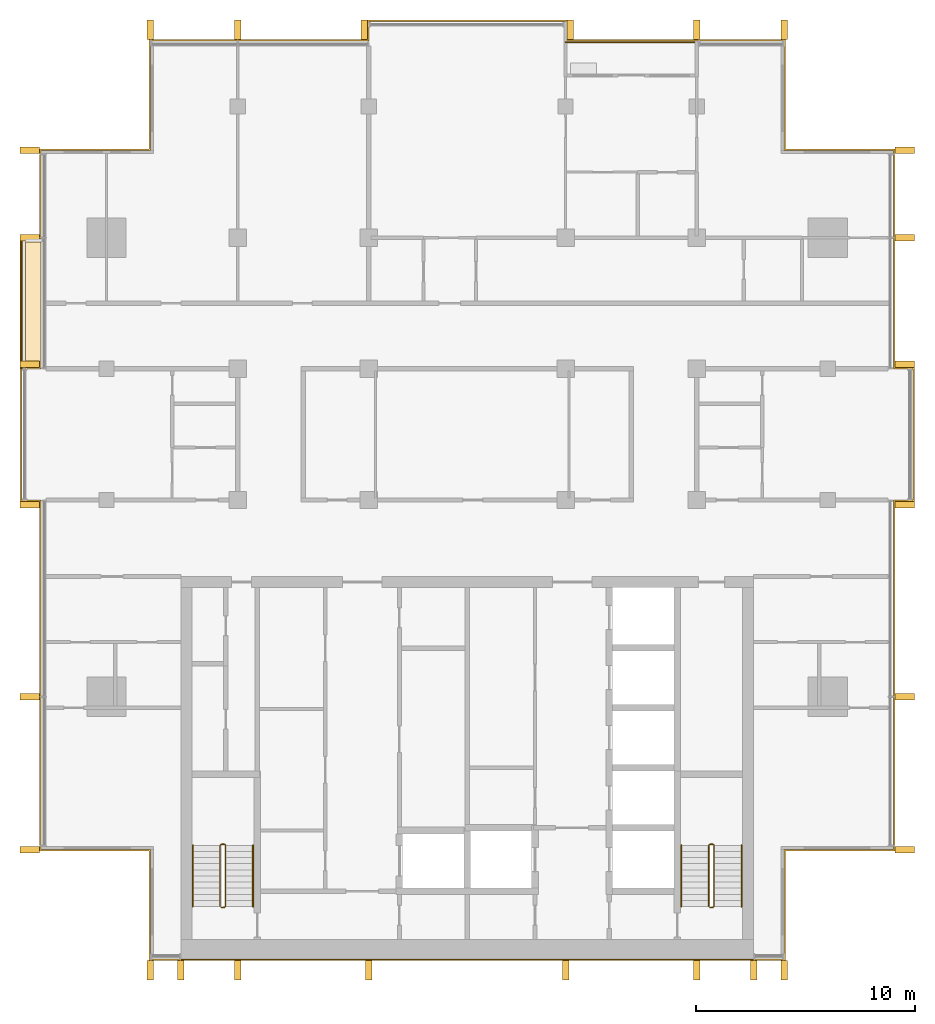
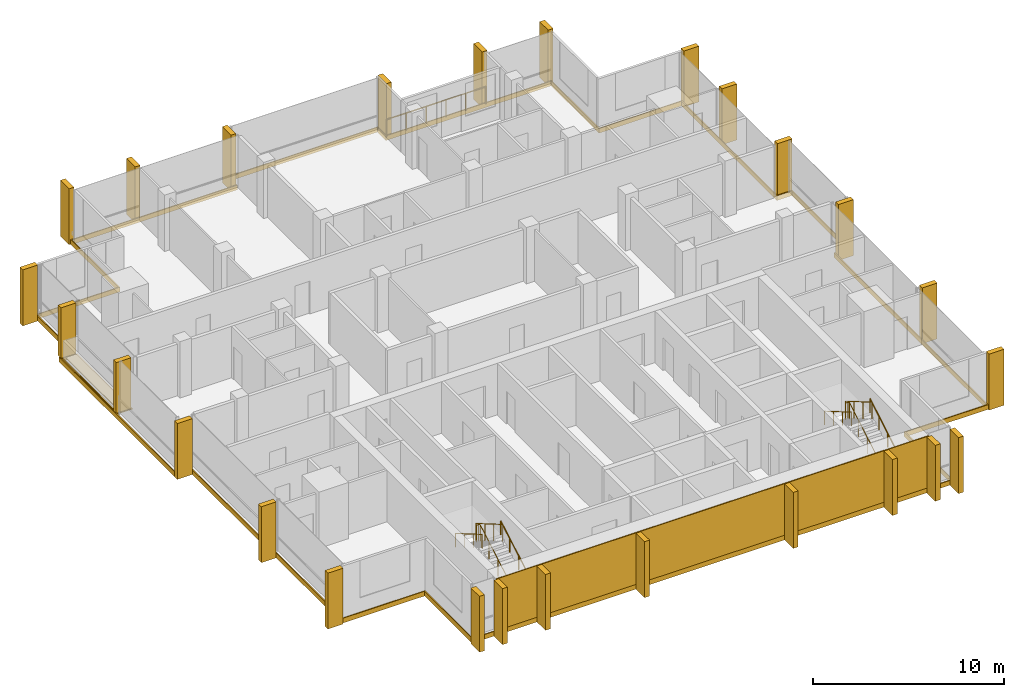
# One storey, part 16 of 16: 26 shading devices, 8 coverings, 7 railings.
"""IFC4 building model written with IfcOpenShell, lengths in metres."""

from ifc_helpers import new_model, si_unit, direction, frame, origin, origin_2d, place, context, subcontext, project, spatial, polyline, rectangle, circle, outline, extrude, material, layer, layer_set, type_object, element, save


model = new_model("IFC4")

# Units and contexts
model_context = context("Model", 3, precision=1e-05, world=origin(), true_north=direction((0.0, 1.0)))
body_context = subcontext(model_context, "Body", "Model", "MODEL_VIEW")
ifc_project = project(units=[si_unit("LENGTHUNIT", "METRE"), si_unit("AREAUNIT", "SQUARE_METRE"), si_unit("VOLUMEUNIT", "CUBIC_METRE"), si_unit("PLANEANGLEUNIT", "RADIAN"), si_unit("MASSUNIT", "GRAM", prefix="KILO")], contexts=[model_context])

# Site, building, storey
site_placement = place(None, origin())
site = spatial("IfcSite", under=ifc_project, at=site_placement, CompositionType="ELEMENT")
building_placement = place(site_placement, origin())
building = spatial("IfcBuilding", under=site, at=building_placement, Name="Finial Court Residences", CompositionType="ELEMENT")
storey_placement = place(building_placement, frame((0.0, 0.0, 262.699951171875)))
storey = spatial("IfcBuildingStorey", under=building, at=storey_placement, Name="L66", CompositionType="ELEMENT", Elevation=262.699951171875)

# Railing
ifc_material_1 = material(Name="Bronze anodised aluminium", Category="aluminium")
railing_type_1 = type_object("IfcRailingType", Name="Balcony guard 1100", PredefinedType="GUARDRAIL", material=ifc_material_1)
railing_1_placement = place(storey_placement, frame((4.5, 16.449951171875, 0.0)))
element("IfcRailing", 1, at=railing_1_placement, inside=storey, type_object=railing_type_1, Name="E-L66-BALN4-R", PredefinedType="GUARDRAIL", context=body_context, shape_type="SweptSolid", body=[
    extrude(circle(Radius=0.02392578125, at=origin_2d()), frame((0.0, 0.0, 1.076171875), z_axis=(1.0, 0.0, 0.0), x_axis=(0.0, 1.0, 0.0)), (0.0, 0.0, 1.0), 6.0),
    extrude(circle(Radius=0.02099609375, at=origin_2d()), origin(), (0.0, 0.0, 1.0), 1.052001953125),
    extrude(circle(Radius=0.02099609375, at=origin_2d()), frame((1.199951171875, 0.0, 0.0)), (0.0, 0.0, 1.0), 1.052001953125),
    extrude(circle(Radius=0.02099609375, at=origin_2d()), frame((2.39990234375, 0.0, 0.0)), (0.0, 0.0, 1.0), 1.052001953125),
    extrude(circle(Radius=0.02099609375, at=origin_2d()), frame((3.60009765625, 0.0, 0.0)), (0.0, 0.0, 1.0), 1.052001953125),
    extrude(circle(Radius=0.02099609375, at=origin_2d()), frame((4.800048828125, 0.0, 0.0)), (0.0, 0.0, 1.0), 1.052001953125),
    extrude(circle(Radius=0.02099609375, at=origin_2d()), frame((6.0, 0.0, 0.0)), (0.0, 0.0, 1.0), 1.052001953125),
])

# Coverings
ifc_material_2 = material(Name="Natural limestone", Category="masonry")
ifc_layer_1 = layer(ifc_material_2, 0.06005859375)
ifc_layer_set_1 = layer_set([ifc_layer_1], Name="Limestone cladding to the blind core face 60")
covering_type_1 = type_object("IfcCoveringType", Name="Limestone cladding to the blind core face 60", PredefinedType="CLADDING", material=ifc_layer_set_1)
covering_1_placement = place(storey_placement, origin())
element("IfcCovering", 2, at=covering_1_placement, inside=storey, type_object=covering_type_1, Name="E-L66-CLAD1", PredefinedType="CLADDING", context=body_context, shape_type="SweptSolid", body=[
    extrude(outline(polyline([(-10.5, -25.56005859375), (-10.5, -25.5), (-13.10009765625, -25.5), (-13.10009765625, -25.56005859375), (-10.5, -25.56005859375)])), origin(), (0.0, 0.0, 1.0), 3.300048828125),
])
covering_2_placement = place(storey_placement, origin())
element("IfcCovering", 3, at=covering_2_placement, inside=storey, type_object=covering_type_1, Name="E-L66-CLAD2", PredefinedType="CLADDING", context=body_context, shape_type="SweptSolid", body=[
    extrude(outline(polyline([(-4.5, -25.56005859375), (-4.5, -25.5), (-10.5, -25.5), (-10.5, -25.56005859375), (-4.5, -25.56005859375)])), origin(), (0.0, 0.0, 1.0), 3.300048828125),
])
covering_3_placement = place(storey_placement, origin())
element("IfcCovering", 4, at=covering_3_placement, inside=storey, type_object=covering_type_1, Name="E-L66-CLAD3", PredefinedType="CLADDING", context=body_context, shape_type="SweptSolid", body=[
    extrude(outline(polyline([(4.5, -25.56005859375), (4.5, -25.5), (-4.5, -25.5), (-4.5, -25.56005859375), (4.5, -25.56005859375)])), origin(), (0.0, 0.0, 1.0), 3.300048828125),
])
covering_4_placement = place(storey_placement, origin())
element("IfcCovering", 5, at=covering_4_placement, inside=storey, type_object=covering_type_1, Name="E-L66-CLAD4", PredefinedType="CLADDING", context=body_context, shape_type="SweptSolid", body=[
    extrude(outline(polyline([(10.5, -25.56005859375), (10.5, -25.5), (4.5, -25.5), (4.5, -25.56005859375), (10.5, -25.56005859375)])), origin(), (0.0, 0.0, 1.0), 3.300048828125),
])
covering_5_placement = place(storey_placement, origin())
element("IfcCovering", 6, at=covering_5_placement, inside=storey, type_object=covering_type_1, Name="E-L66-CLAD5", PredefinedType="CLADDING", context=body_context, shape_type="SweptSolid", body=[
    extrude(outline(polyline([(13.10009765625, -25.56005859375), (13.10009765625, -25.5), (10.5, -25.5), (10.5, -25.56005859375), (13.10009765625, -25.56005859375)])), origin(), (0.0, 0.0, 1.0), 3.300048828125),
])

# Shading devices
shading_device_type = type_object("IfcShadingDeviceType", Name="Limestone fin 300 x 900", PredefinedType="USERDEFINED", material=ifc_material_2)
for number, where, z_axis, x_axis, name in (
    (7, (-14.5, 17.010009765625, -0.300048828125), (0.0, 0.0, 1.0), (1.0, 0.0, 0.0), "E-L66-FIN-N1"),
    (8, (-10.5, 17.010009765625, -0.300048828125), (0.0, 0.0, 1.0), (1.0, 0.0, 0.0), "E-L66-FIN-N2"),
    (9, (-4.7099609375, 17.010009765625, -0.300048828125), (0.0, 0.0, 1.0), (1.0, 0.0, 0.0), "E-L66-FIN-N3"),
    (10, (4.7099609375, 17.010009765625, -0.300048828125), (0.0, 0.0, 1.0), (1.0, 0.0, 0.0), "E-L66-FIN-N4"),
    (11, (10.5, 17.010009765625, -0.300048828125), (0.0, 0.0, 1.0), (1.0, 0.0, 0.0), "E-L66-FIN-N5"),
    (12, (14.5, 17.010009765625, -0.300048828125), (0.0, 0.0, 1.0), (1.0, 0.0, 0.0), "E-L66-FIN-N6"),
):
    element("IfcShadingDevice", number, at=place(storey_placement, frame(where, z_axis=z_axis, x_axis=x_axis)), inside=storey, type_object=shading_device_type, Name=name, ObjectType="FIN", PredefinedType="USERDEFINED", context=body_context, shape_type="SweptSolid", body=[
        extrude(rectangle(XDim=0.300048828125, YDim=0.89990234375, at=origin_2d()), origin(), (0.0, 0.0, 1.0), 3.580078125),
    ])
for number, where, z_axis, x_axis, name in (
    (13, (20.010009765625, -20.5, -0.300048828125), (0.0, 0.0, 1.0), (1.0, 0.0, 0.0), "E-L66-FIN-E7"),
    (14, (20.010009765625, -13.5, -0.300048828125), (0.0, 0.0, 1.0), (1.0, 0.0, 0.0), "E-L66-FIN-E8"),
    (15, (20.010009765625, -4.7099609375, -0.300048828125), (0.0, 0.0, 1.0), (1.0, 0.0, 0.0), "E-L66-FIN-E9"),
    (16, (20.010009765625, 1.7099609375, -0.300048828125), (0.0, 0.0, 1.0), (1.0, 0.0, 0.0), "E-L66-FIN-E10"),
    (17, (20.010009765625, 7.5, -0.300048828125), (0.0, 0.0, 1.0), (1.0, 0.0, 0.0), "E-L66-FIN-E11"),
    (18, (20.010009765625, 11.5, -0.300048828125), (0.0, 0.0, 1.0), (1.0, 0.0, 0.0), "E-L66-FIN-E12"),
):
    element("IfcShadingDevice", number, at=place(storey_placement, frame(where, z_axis=z_axis, x_axis=x_axis)), inside=storey, type_object=shading_device_type, Name=name, ObjectType="FIN", PredefinedType="USERDEFINED", context=body_context, shape_type="SweptSolid", body=[
        extrude(rectangle(XDim=0.89990234375, YDim=0.300048828125, at=origin_2d()), origin(), (0.0, 0.0, 1.0), 3.580078125),
    ])
for number, where, z_axis, x_axis, name in (
    (19, (-14.5, -26.010009765625, -0.300048828125), (0.0, 0.0, 1.0), (1.0, 0.0, 0.0), "E-L66-FIN-S13"),
    (20, (-13.10009765625, -26.010009765625, -0.300048828125), (0.0, 0.0, 1.0), (1.0, 0.0, 0.0), "E-L66-FIN-S14"),
    (21, (-10.5, -26.010009765625, -0.300048828125), (0.0, 0.0, 1.0), (1.0, 0.0, 0.0), "E-L66-FIN-S15"),
    (22, (-4.5, -26.010009765625, -0.300048828125), (0.0, 0.0, 1.0), (1.0, 0.0, 0.0), "E-L66-FIN-S16"),
    (23, (4.5, -26.010009765625, -0.300048828125), (0.0, 0.0, 1.0), (1.0, 0.0, 0.0), "E-L66-FIN-S17"),
    (24, (10.5, -26.010009765625, -0.300048828125), (0.0, 0.0, 1.0), (1.0, 0.0, 0.0), "E-L66-FIN-S18"),
    (25, (13.10009765625, -26.010009765625, -0.300048828125), (0.0, 0.0, 1.0), (1.0, 0.0, 0.0), "E-L66-FIN-S19"),
    (26, (14.5, -26.010009765625, -0.300048828125), (0.0, 0.0, 1.0), (1.0, 0.0, 0.0), "E-L66-FIN-S20"),
):
    element("IfcShadingDevice", number, at=place(storey_placement, frame(where, z_axis=z_axis, x_axis=x_axis)), inside=storey, type_object=shading_device_type, Name=name, ObjectType="FIN", PredefinedType="USERDEFINED", context=body_context, shape_type="SweptSolid", body=[
        extrude(rectangle(XDim=0.300048828125, YDim=0.89990234375, at=origin_2d()), origin(), (0.0, 0.0, 1.0), 3.580078125),
    ])
for number, where, z_axis, x_axis, name in (
    (27, (-20.010009765625, -20.5, -0.300048828125), (0.0, 0.0, 1.0), (1.0, 0.0, 0.0), "E-L66-FIN-W21"),
    (28, (-20.010009765625, -13.5, -0.300048828125), (0.0, 0.0, 1.0), (1.0, 0.0, 0.0), "E-L66-FIN-W22"),
    (29, (-20.010009765625, -4.7099609375, -0.300048828125), (0.0, 0.0, 1.0), (1.0, 0.0, 0.0), "E-L66-FIN-W23"),
):
    element("IfcShadingDevice", number, at=place(storey_placement, frame(where, z_axis=z_axis, x_axis=x_axis)), inside=storey, type_object=shading_device_type, Name=name, ObjectType="FIN", PredefinedType="USERDEFINED", context=body_context, shape_type="SweptSolid", body=[
        extrude(rectangle(XDim=0.89990234375, YDim=0.300048828125, at=origin_2d()), origin(), (0.0, 0.0, 1.0), 3.580078125),
    ])
for number, where, z_axis, x_axis, name in (
    (30, (-20.010009765625, 1.7099609375, 0.0400390625), (0.0, 0.0, 1.0), (1.0, 0.0, 0.0), "E-L66-FIN-W24"),
    (31, (-20.010009765625, 7.5, 0.0400390625), (0.0, 0.0, 1.0), (1.0, 0.0, 0.0), "E-L66-FIN-W25"),
):
    element("IfcShadingDevice", number, at=place(storey_placement, frame(where, z_axis=z_axis, x_axis=x_axis)), inside=storey, type_object=shading_device_type, Name=name, ObjectType="FIN", PredefinedType="USERDEFINED", context=body_context, shape_type="SweptSolid", body=[
        extrude(rectangle(XDim=0.89990234375, YDim=0.300048828125, at=origin_2d()), origin(), (0.0, 0.0, 1.0), 3.239990234375),
    ])
shading_device_placement = place(storey_placement, frame((-20.010009765625, 11.5, -0.300048828125), z_axis=(0.0, 0.0, 1.0), x_axis=(1.0, 0.0, 0.0)))
element("IfcShadingDevice", 32, at=shading_device_placement, inside=storey, type_object=shading_device_type, Name="E-L66-FIN-W26", ObjectType="FIN", PredefinedType="USERDEFINED", context=body_context, shape_type="SweptSolid", body=[
    extrude(rectangle(XDim=0.89990234375, YDim=0.300048828125, at=origin_2d()), origin(), (0.0, 0.0, 1.0), 3.580078125),
])

# Coverings
ifc_material_3 = material(Name="Pale limestone", Category="masonry")
ifc_layer_2 = layer(ifc_material_3, 0.06005859375)
ifc_layer_set_2 = layer_set([ifc_layer_2], Name="Pale limestone slab-edge band 60")
covering_type_2 = type_object("IfcCoveringType", Name="Pale limestone slab-edge band 60", PredefinedType="CLADDING", material=ifc_layer_set_2)
covering_6_placement = place(storey_placement, frame((0.0, 0.0, -0.300048828125)))
element("IfcCovering", 33, at=covering_6_placement, inside=storey, type_object=covering_type_2, Name="E-L66-BAND1", PredefinedType="CLADDING", context=body_context, shape_type="SweptSolid", body=[
    extrude(outline(polyline([(-19.56005859375, -4.56005859375), (-20.4599609375, -4.56005859375), (-20.4599609375, 7.56005859375), (-19.56005859375, 7.56005859375), (-19.56005859375, 11.56005859375), (-14.56005859375, 11.56005859375), (-14.56005859375, 16.56005859375), (-4.56005859375, 16.56005859375), (-4.56005859375, 17.4599609375), (4.56005859375, 17.4599609375), (4.56005859375, 16.56005859375), (14.56005859375, 16.56005859375), (14.56005859375, 11.56005859375), (19.56005859375, 11.56005859375), (19.56005859375, 1.56005859375), (20.4599609375, 1.56005859375), (20.4599609375, -4.56005859375), (19.56005859375, -4.56005859375), (19.56005859375, -20.56005859375), (14.56005859375, -20.56005859375), (14.56005859375, -25.56005859375), (-14.56005859375, -25.56005859375), (-14.56005859375, -20.56005859375), (-19.56005859375, -20.56005859375), (-19.56005859375, -4.56005859375)]), holes=[polyline([(-14.5, -20.5), (-14.5, -25.5), (14.5, -25.5), (14.5, -20.5), (19.5, -20.5), (19.5, -4.5), (20.39990234375, -4.5), (20.39990234375, 1.5), (19.5, 1.5), (19.5, 11.5), (14.5, 11.5), (14.5, 16.5), (10.5, 16.5), (4.5, 16.5), (4.5, 17.39990234375), (-4.5, 17.39990234375), (-4.5, 16.5), (-14.5, 16.5), (-14.5, 11.5), (-19.5, 11.5), (-19.5, 7.5), (-20.39990234375, 7.5), (-20.39990234375, 1.5), (-20.39990234375, -4.5), (-19.5, -4.5), (-19.5, -20.5), (-14.5, -20.5)])]), origin(), (0.0, 0.0, 1.0), 0.300048828125),
])
ifc_material_4 = material(Name="Bitumen membrane")
ifc_layer_3 = layer(ifc_material_4, 0.0400390625)
ifc_layer_set_3 = layer_set([ifc_layer_3], Name="Push box roofing, bitumen membrane 40")
covering_type_3 = type_object("IfcCoveringType", Name="Push box roofing, bitumen membrane 40", PredefinedType="ROOFING", material=ifc_layer_set_3)
covering_7_placement = place(storey_placement, origin())
element("IfcCovering", 34, at=covering_7_placement, inside=storey, type_object=covering_type_3, Name="E-L66-LED1", PredefinedType="ROOFING", context=body_context, shape_type="SweptSolid", body=[
    extrude(outline(polyline([(-19.5, 7.449951171875), (-20.199951171875, 7.449951171875), (-20.35009765625, 7.449951171875), (-20.35009765625, 1.5), (-20.39990234375, 1.5), (-20.39990234375, 7.5), (-19.5, 7.5), (-19.5, 7.449951171875)])), origin(), (0.0, 0.0, 1.0), 0.0400390625),
])
covering_8_placement = place(storey_placement, origin())
element("IfcCovering", 35, at=covering_8_placement, inside=storey, type_object=covering_type_3, Name="E-L66-LED1b", PredefinedType="ROOFING", context=body_context, shape_type="SweptSolid", body=[
    extrude(outline(polyline([(-19.5, 1.5), (-20.199951171875, 1.5), (-20.199951171875, 7.300048828125), (-19.5, 7.300048828125), (-19.5, 1.5)])), origin(), (0.0, 0.0, 1.0), 0.0400390625),
])

# Railings
ifc_material_5 = material(Name="Stainless steel railing", Category="steel")
railing_type_2 = type_object("IfcRailingType", Name="Stair guard 1100", PredefinedType="GUARDRAIL", material=ifc_material_5)
railing_2_placement = place(storey_placement, frame((-11.10009765625, -23.14990234375, 0.0)))
element("IfcRailing", 36, at=railing_2_placement, inside=storey, type_object=railing_type_2, Name="L66 ST-1 stair guard 1", PredefinedType="GUARDRAIL", context=body_context, shape_type="SweptSolid", body=[
    extrude(circle(Radius=0.02392578125, at=origin_2d()), frame((0.0, 0.0, 1.076171875), z_axis=(-1.0, 0.0, 0.0), x_axis=(0.0, -1.0, 0.0)), (0.0, 0.0, 1.0), 0.14990234375),
    extrude(circle(Radius=0.02392578125, at=origin_2d()), frame((-0.14990234375, 0.0, 1.076171875), z_axis=(0.760004195007, 0.189305074214, 0.621737253547), x_axis=(-0.241699205484, 0.970351222016, 0.0)), (0.0, 0.0, 1.0), 0.26318359375),
    extrude(circle(Radius=0.02392578125, at=origin_2d()), frame((0.050048828125, 0.0498046875, 1.23974609375), z_axis=(0.0, 0.863360870873, 0.504586966384), x_axis=(-1.0, 0.0, 0.0)), (0.0, 0.0, 1.0), 3.2431640625),
    extrude(circle(Radius=0.02392578125, at=origin_2d()), frame((0.050048828125, 2.849853515625, 2.8759765625), z_axis=(-0.707106781187, 0.707106781187, 0.0), x_axis=(-0.707106781187, -0.707106781187, 0.0)), (0.0, 0.0, 1.0), 0.07080078125),
    extrude(circle(Radius=0.02392578125, at=origin_2d()), frame((0.0, 2.89990234375, 2.8759765625), z_axis=(-1.0, 0.0, 0.0), x_axis=(0.0, -1.0, 0.0)), (0.0, 0.0, 1.0), 0.14990234375),
    extrude(circle(Radius=0.02392578125, at=origin_2d()), frame((-0.14990234375, 2.89990234375, 2.8759765625), z_axis=(-0.280808744504, -0.280808744504, 0.917765164963), x_axis=(0.707106781187, -0.707106781187, 0.0)), (0.0, 0.0, 1.0), 0.17822265625),
    extrude(circle(Radius=0.02392578125, at=origin_2d()), frame((-0.199951171875, 2.849853515625, 3.03955078125), z_axis=(0.0, -0.863360870873, 0.504586966384), x_axis=(1.0, 0.0, 0.0)), (0.0, 0.0, 1.0), 3.2431640625),
    extrude(circle(Radius=0.02099609375, at=origin_2d()), origin(), (0.0, 0.0, 1.0), 1.052001953125),
    extrude(circle(Radius=0.02099609375, at=origin_2d()), frame((-0.14990234375, 0.0, 0.0)), (0.0, 0.0, 1.0), 1.052001953125),
    extrude(circle(Radius=0.02099609375, at=origin_2d()), frame((0.050048828125, 0.0498046875, 0.16357421875)), (0.0, 0.0, 1.0), 1.052001953125),
    extrude(circle(Radius=0.02099609375, at=origin_2d()), frame((0.050048828125, 0.983154296875, 0.708984375)), (0.0, 0.0, 1.0), 1.052001953125),
    extrude(circle(Radius=0.02099609375, at=origin_2d()), frame((0.050048828125, 1.91650390625, 1.254638671875)), (0.0, 0.0, 1.0), 1.052001953125),
    extrude(circle(Radius=0.02099609375, at=origin_2d()), frame((0.050048828125, 2.849853515625, 1.800048828125)), (0.0, 0.0, 1.0), 1.052001953125),
    extrude(circle(Radius=0.02099609375, at=origin_2d()), frame((0.0, 2.89990234375, 1.800048828125)), (0.0, 0.0, 1.0), 1.052001953125),
    extrude(circle(Radius=0.02099609375, at=origin_2d()), frame((-0.14990234375, 2.89990234375, 1.800048828125)), (0.0, 0.0, 1.0), 1.052001953125),
    extrude(circle(Radius=0.02099609375, at=origin_2d()), frame((-0.199951171875, 2.849853515625, 1.963623046875)), (0.0, 0.0, 1.0), 1.052001953125),
    extrude(circle(Radius=0.02099609375, at=origin_2d()), frame((-0.199951171875, 1.91650390625, 2.509033203125)), (0.0, 0.0, 1.0), 1.052001953125),
    extrude(circle(Radius=0.02099609375, at=origin_2d()), frame((-0.199951171875, 0.983154296875, 3.0546875)), (0.0, 0.0, 1.0), 1.052001953125),
    extrude(circle(Radius=0.02099609375, at=origin_2d()), frame((-0.199951171875, 0.0498046875, 3.60009765625)), (0.0, 0.0, 1.0), 1.052001953125),
])
railing_3_placement = place(storey_placement, frame((11.25, -23.14990234375, 0.0)))
element("IfcRailing", 37, at=railing_3_placement, inside=storey, type_object=railing_type_2, Name="L66 ST-2 stair guard 1", PredefinedType="GUARDRAIL", context=body_context, shape_type="SweptSolid", body=[
    extrude(circle(Radius=0.02392578125, at=origin_2d()), frame((0.0, 0.0, 1.076171875), z_axis=(-1.0, 0.0, 0.0), x_axis=(0.0, -1.0, 0.0)), (0.0, 0.0, 1.0), 0.14990234375),
    extrude(circle(Radius=0.02392578125, at=origin_2d()), frame((-0.14990234375, 0.0, 1.076171875), z_axis=(0.760004195007, 0.189305074214, 0.621737253547), x_axis=(-0.241699205484, 0.970351222016, 0.0)), (0.0, 0.0, 1.0), 0.26318359375),
    extrude(circle(Radius=0.02392578125, at=origin_2d()), frame((0.050048828125, 0.0498046875, 1.23974609375), z_axis=(0.0, 0.863360870873, 0.504586966384), x_axis=(-1.0, 0.0, 0.0)), (0.0, 0.0, 1.0), 3.2431640625),
    extrude(circle(Radius=0.02392578125, at=origin_2d()), frame((0.050048828125, 2.849853515625, 2.8759765625), z_axis=(-0.707106781187, 0.707106781187, 0.0), x_axis=(-0.707106781187, -0.707106781187, 0.0)), (0.0, 0.0, 1.0), 0.07080078125),
    extrude(circle(Radius=0.02392578125, at=origin_2d()), frame((0.0, 2.89990234375, 2.8759765625), z_axis=(-1.0, 0.0, 0.0), x_axis=(0.0, -1.0, 0.0)), (0.0, 0.0, 1.0), 0.14990234375),
    extrude(circle(Radius=0.02392578125, at=origin_2d()), frame((-0.14990234375, 2.89990234375, 2.8759765625), z_axis=(-0.280808744504, -0.280808744504, 0.917765164963), x_axis=(0.707106781187, -0.707106781187, 0.0)), (0.0, 0.0, 1.0), 0.17822265625),
    extrude(circle(Radius=0.02392578125, at=origin_2d()), frame((-0.199951171875, 2.849853515625, 3.03955078125), z_axis=(0.0, -0.863360870873, 0.504586966384), x_axis=(1.0, 0.0, 0.0)), (0.0, 0.0, 1.0), 3.2431640625),
    extrude(circle(Radius=0.02099609375, at=origin_2d()), origin(), (0.0, 0.0, 1.0), 1.052001953125),
    extrude(circle(Radius=0.02099609375, at=origin_2d()), frame((-0.14990234375, 0.0, 0.0)), (0.0, 0.0, 1.0), 1.052001953125),
    extrude(circle(Radius=0.02099609375, at=origin_2d()), frame((0.050048828125, 0.0498046875, 0.16357421875)), (0.0, 0.0, 1.0), 1.052001953125),
    extrude(circle(Radius=0.02099609375, at=origin_2d()), frame((0.050048828125, 0.983154296875, 0.708984375)), (0.0, 0.0, 1.0), 1.052001953125),
    extrude(circle(Radius=0.02099609375, at=origin_2d()), frame((0.050048828125, 1.91650390625, 1.254638671875)), (0.0, 0.0, 1.0), 1.052001953125),
    extrude(circle(Radius=0.02099609375, at=origin_2d()), frame((0.050048828125, 2.849853515625, 1.800048828125)), (0.0, 0.0, 1.0), 1.052001953125),
    extrude(circle(Radius=0.02099609375, at=origin_2d()), frame((0.0, 2.89990234375, 1.800048828125)), (0.0, 0.0, 1.0), 1.052001953125),
    extrude(circle(Radius=0.02099609375, at=origin_2d()), frame((-0.14990234375, 2.89990234375, 1.800048828125)), (0.0, 0.0, 1.0), 1.052001953125),
    extrude(circle(Radius=0.02099609375, at=origin_2d()), frame((-0.199951171875, 2.849853515625, 1.963623046875)), (0.0, 0.0, 1.0), 1.052001953125),
    extrude(circle(Radius=0.02099609375, at=origin_2d()), frame((-0.199951171875, 1.91650390625, 2.509033203125)), (0.0, 0.0, 1.0), 1.052001953125),
    extrude(circle(Radius=0.02099609375, at=origin_2d()), frame((-0.199951171875, 0.983154296875, 3.0546875)), (0.0, 0.0, 1.0), 1.052001953125),
    extrude(circle(Radius=0.02099609375, at=origin_2d()), frame((-0.199951171875, 0.0498046875, 3.60009765625)), (0.0, 0.0, 1.0), 1.052001953125),
])
railing_type_3 = type_object("IfcRailingType", Name="Stair handrail 900", PredefinedType="HANDRAIL", material=ifc_material_5)
railing_4_placement = place(storey_placement, frame((-9.800048828125, -23.10009765625, 0.16357421875)))
element("IfcRailing", 38, at=railing_4_placement, inside=storey, type_object=railing_type_3, Name="L66 ST-1 stair handrail 1", PredefinedType="HANDRAIL", context=body_context, shape_type="SweptSolid", body=[
    extrude(circle(Radius=0.02392578125, at=origin_2d()), frame((0.0, 0.0, 0.8759765625), z_axis=(0.0, 0.863360870873, 0.504586966384), x_axis=(-1.0, 0.0, 0.0)), (0.0, 0.0, 1.0), 3.2431640625),
    extrude(circle(Radius=0.02099609375, at=origin_2d()), origin(), (0.0, 0.0, 1.0), 0.851806640625),
    extrude(circle(Radius=0.02099609375, at=origin_2d()), frame((0.0, 0.933349609375, 0.54541015625)), (0.0, 0.0, 1.0), 0.851806640625),
    extrude(circle(Radius=0.02099609375, at=origin_2d()), frame((0.0, 1.86669921875, 1.091064453125)), (0.0, 0.0, 1.0), 0.851806640625),
    extrude(circle(Radius=0.02099609375, at=origin_2d()), frame((0.0, 2.800048828125, 1.636474609375)), (0.0, 0.0, 1.0), 0.851806640625),
])
railing_5_placement = place(storey_placement, frame((-12.550048828125, -20.300048828125, 1.963623046875)))
element("IfcRailing", 39, at=railing_5_placement, inside=storey, type_object=railing_type_3, Name="L66 ST-1 stair handrail 2", PredefinedType="HANDRAIL", context=body_context, shape_type="SweptSolid", body=[
    extrude(circle(Radius=0.02392578125, at=origin_2d()), frame((0.0, 0.0, 0.8759765625), z_axis=(0.0, -0.863360870873, 0.504586966384), x_axis=(1.0, 0.0, 0.0)), (0.0, 0.0, 1.0), 3.2431640625),
    extrude(circle(Radius=0.02099609375, at=origin_2d()), origin(), (0.0, 0.0, 1.0), 0.851806640625),
    extrude(circle(Radius=0.02099609375, at=origin_2d()), frame((0.0, -0.933349609375, 0.54541015625)), (0.0, 0.0, 1.0), 0.851806640625),
    extrude(circle(Radius=0.02099609375, at=origin_2d()), frame((0.0, -1.86669921875, 1.091064453125)), (0.0, 0.0, 1.0), 0.851806640625),
    extrude(circle(Radius=0.02099609375, at=origin_2d()), frame((0.0, -2.800048828125, 1.636474609375)), (0.0, 0.0, 1.0), 0.851806640625),
])
railing_6_placement = place(storey_placement, frame((12.550048828125, -23.10009765625, 0.16357421875)))
element("IfcRailing", 40, at=railing_6_placement, inside=storey, type_object=railing_type_3, Name="L66 ST-2 stair handrail 1", PredefinedType="HANDRAIL", context=body_context, shape_type="SweptSolid", body=[
    extrude(circle(Radius=0.02392578125, at=origin_2d()), frame((0.0, 0.0, 0.8759765625), z_axis=(0.0, 0.863360870873, 0.504586966384), x_axis=(-1.0, 0.0, 0.0)), (0.0, 0.0, 1.0), 3.2431640625),
    extrude(circle(Radius=0.02099609375, at=origin_2d()), origin(), (0.0, 0.0, 1.0), 0.851806640625),
    extrude(circle(Radius=0.02099609375, at=origin_2d()), frame((0.0, 0.933349609375, 0.54541015625)), (0.0, 0.0, 1.0), 0.851806640625),
    extrude(circle(Radius=0.02099609375, at=origin_2d()), frame((0.0, 1.86669921875, 1.091064453125)), (0.0, 0.0, 1.0), 0.851806640625),
    extrude(circle(Radius=0.02099609375, at=origin_2d()), frame((0.0, 2.800048828125, 1.636474609375)), (0.0, 0.0, 1.0), 0.851806640625),
])
railing_7_placement = place(storey_placement, frame((9.800048828125, -20.300048828125, 1.963623046875)))
element("IfcRailing", 41, at=railing_7_placement, inside=storey, type_object=railing_type_3, Name="L66 ST-2 stair handrail 2", PredefinedType="HANDRAIL", context=body_context, shape_type="SweptSolid", body=[
    extrude(circle(Radius=0.02392578125, at=origin_2d()), frame((0.0, 0.0, 0.8759765625), z_axis=(0.0, -0.863360870873, 0.504586966384), x_axis=(1.0, 0.0, 0.0)), (0.0, 0.0, 1.0), 3.2431640625),
    extrude(circle(Radius=0.02099609375, at=origin_2d()), origin(), (0.0, 0.0, 1.0), 0.851806640625),
    extrude(circle(Radius=0.02099609375, at=origin_2d()), frame((0.0, -0.933349609375, 0.54541015625)), (0.0, 0.0, 1.0), 0.851806640625),
    extrude(circle(Radius=0.02099609375, at=origin_2d()), frame((0.0, -1.86669921875, 1.091064453125)), (0.0, 0.0, 1.0), 0.851806640625),
    extrude(circle(Radius=0.02099609375, at=origin_2d()), frame((0.0, -2.800048828125, 1.636474609375)), (0.0, 0.0, 1.0), 0.851806640625),
])

save(model, "model.ifc")
